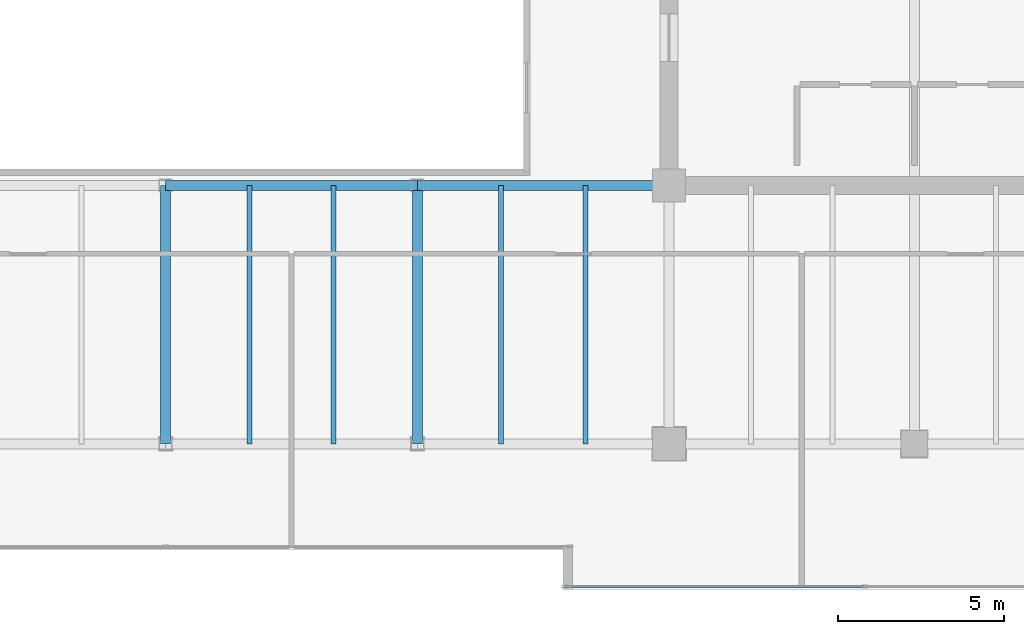
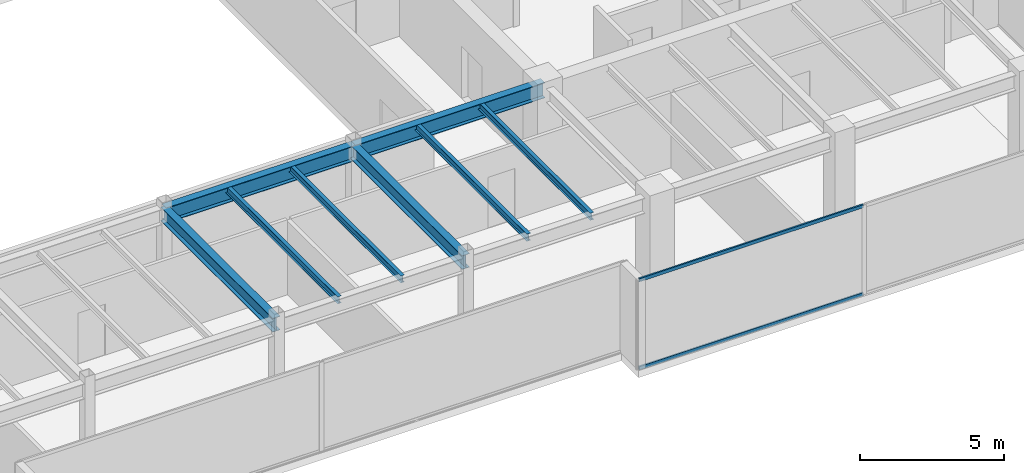
# One storey, part 12 of 35: 8 beams, 2 members, 1 element without a shape of its own.
"""IFC4 building model written with IfcOpenShell, lengths in metres."""

from ifc_helpers import new_model, si_unit, direction, frame, origin, origin_2d, place, context, subcontext, project, spatial, hollow_rectangle, i_section, extrude, source, transform, mapped, material, layer, layer_set, material_profile, profile_set, type_object, type_shapes, element, aggregate, save


model = new_model("IFC4")

# Units and contexts
model_context = context("Model", 3, precision=1e-05, world=origin(), true_north=direction((0.0, 1.0)))
body_context = subcontext(model_context, "Body", "Model", "MODEL_VIEW")
ifc_project = project(units=[si_unit("LENGTHUNIT", "METRE"), si_unit("AREAUNIT", "SQUARE_METRE"), si_unit("VOLUMEUNIT", "CUBIC_METRE"), si_unit("PLANEANGLEUNIT", "RADIAN"), si_unit("MASSUNIT", "GRAM", prefix="KILO")], contexts=[model_context])

# Site, building, storey
site_placement = place(None, origin())
site = spatial("IfcSite", under=ifc_project, at=site_placement, CompositionType="ELEMENT")
building_placement = place(site_placement, origin())
building = spatial("IfcBuilding", under=site, at=building_placement, Name="Haelvirn Gate Laboratories", CompositionType="ELEMENT")
storey_placement = place(building_placement, frame((0.0, 0.0, 226.0)))
storey = spatial("IfcBuildingStorey", under=building, at=storey_placement, Name="L54", CompositionType="ELEMENT", Elevation=226.0)

# Beams
ifc_material_1 = material(Name="Steel SM355", Category="steel")
ifc_material_profile_1 = material_profile(ifc_material_1, i_section(OverallWidth=0.14990234375, OverallDepth=0.300048828125, WebThickness=0.006591796875, FlangeThickness=0.009033203125, at=origin_2d()), Name="H-300x150x6.5x9")
ifc_profile_set_1 = profile_set([ifc_material_profile_1], Name="Steel SM355")
beam_type_1 = type_object("IfcBeamType", Name="BM-J-300", PredefinedType="JOIST", material=ifc_profile_set_1)
shared_shape_1 = source(origin(), body_context, "Body", "SweptSolid", [
    extrude(i_section(OverallWidth=0.14990234375, OverallDepth=0.300048828125, WebThickness=0.006591796875, FlangeThickness=0.009033203125, at=origin_2d()), origin(), (0.0, 0.0, 1.0), 7.800048828125),
])
type_shapes(beam_type_1, [shared_shape_1])
for number, where, z_axis, x_axis, name in (
    (1, (39.929931640625, 7.0, 3.64990234375), (0.0, 1.0, 0.0), (-1.0, 0.0, 0.0), "L54 Composite Lab Joist South X39.93"),
    (2, (42.469970703125, 7.0, 3.64990234375), (0.0, 1.0, 0.0), (-1.0, 0.0, 0.0), "L54 Composite Lab Joist South X42.47"),
    (3, (47.530029296875, 7.0, 3.64990234375), (0.0, 1.0, 0.0), (-1.0, 0.0, 0.0), "L54 Composite Lab Joist South X47.53"),
    (4, (50.070068359375, 7.0, 3.64990234375), (0.0, 1.0, 0.0), (-1.0, 0.0, 0.0), "L54 Composite Lab Joist South X50.07"),
):
    element("IfcBeam", number, at=place(storey_placement, frame(where, z_axis=z_axis, x_axis=x_axis)), inside=storey, type_object=beam_type_1, Name=name, PredefinedType="JOIST", context=body_context, shape_type="MappedRepresentation", body=[
        mapped(shared_shape_1, transform((0.0, 0.0, 0.0), scale=1.0)),
    ])
ifc_material_profile_2 = material_profile(ifc_material_1, i_section(OverallWidth=0.300048828125, OverallDepth=0.587890625, WebThickness=0.011962890625, FlangeThickness=0.02001953125, at=origin_2d()), Name="H-588x300x12x20")
ifc_profile_set_2 = profile_set([ifc_material_profile_2], Name="Steel SM355")
beam_type_2 = type_object("IfcBeamType", Name="BM-G-588", PredefinedType="BEAM", material=ifc_profile_set_2)
shared_shape_2 = source(origin(), body_context, "Body", "SweptSolid", [
    extrude(i_section(OverallWidth=0.300048828125, OverallDepth=0.587890625, WebThickness=0.011962890625, FlangeThickness=0.02001953125, at=origin_2d()), origin(), (0.0, 0.0, 1.0), 7.800048828125),
])
type_shapes(beam_type_2, [shared_shape_2])
for number, where, z_axis, x_axis, name in (
    (5, (37.39990234375, 7.0, 3.506103515625), (0.0, 1.0, 0.0), (-1.0, 0.0, 0.0), "L54 Frame Girder X37.4 (7.0-14.8)"),
    (6, (45.0, 7.0, 3.506103515625), (0.0, 1.0, 0.0), (-1.0, 0.0, 0.0), "L54 Frame Girder X45.0 (7.0-14.8)"),
):
    element("IfcBeam", number, at=place(storey_placement, frame(where, z_axis=z_axis, x_axis=x_axis)), inside=storey, type_object=beam_type_2, Name=name, PredefinedType="BEAM", context=body_context, shape_type="MappedRepresentation", body=[
        mapped(shared_shape_2, transform((0.0, 0.0, 0.0), scale=1.0)),
    ])
ifc_material_profile_3 = material_profile(ifc_material_1, i_section(OverallWidth=0.300048828125, OverallDepth=0.64990234375, WebThickness=0.012939453125, FlangeThickness=0.02197265625, at=origin_2d()), Name="H-650x300x13x22")
ifc_profile_set_3 = profile_set([ifc_material_profile_3], Name="Steel SM355")
beam_type_3 = type_object("IfcBeamType", Name="BM-G-650", PredefinedType="BEAM", material=ifc_profile_set_3)
shared_shape_3 = source(origin(), body_context, "Body", "SweptSolid", [
    extrude(i_section(OverallWidth=0.300048828125, OverallDepth=0.64990234375, WebThickness=0.012939453125, FlangeThickness=0.02197265625, at=origin_2d()), origin(), (0.0, 0.0, 1.0), 7.60009765625),
])
type_shapes(beam_type_3, [shared_shape_3])
for number, where, z_axis, x_axis, name in (
    (7, (37.39990234375, 14.800048828125, 3.47509765625), (1.0, 0.0, 0.0), (0.0, 1.0, 0.0), "L54 Primary Girder Y14.8 (37.4-45.0)"),
    (8, (45.0, 14.800048828125, 3.47509765625), (1.0, 0.0, 0.0), (0.0, 1.0, 0.0), "L54 Primary Girder Y14.8 (45.0-52.6)"),
):
    element("IfcBeam", number, at=place(storey_placement, frame(where, z_axis=z_axis, x_axis=x_axis)), inside=storey, type_object=beam_type_3, Name=name, PredefinedType="BEAM", context=body_context, shape_type="MappedRepresentation", body=[
        mapped(shared_shape_3, transform((0.0, 0.0, 0.0), scale=1.0)),
    ])

# Curtain wall, members
ifc_material_2 = material(Name="Anodised bronze unitised aluminium & triple low-E glass", Category="aluminium")
ifc_layer = layer(ifc_material_2, 0.176025390625, Name="CW-SYS-4")
ifc_layer_set = layer_set([ifc_layer], Name="Anodised bronze unitised aluminium & triple low-E glass")
curtain_wall_type = type_object("IfcCurtainWallType", Name="CW-SYS-4", PredefinedType="NOTDEFINED", material=ifc_layer_set)
curtain_wall_placement = place(storey_placement, origin())
curtain_wall = element("IfcCurtainWall", 9, at=curtain_wall_placement, inside=storey, type_object=curtain_wall_type, Name="L54 Unitised Curtain Wall CW-L54-P0-E04-1", PredefinedType="NOTDEFINED")
ifc_material_3 = material(Name="Extruded aluminium 6063-T6 (anodised bronze)", Category="aluminium")
ifc_material_profile_4 = material_profile(ifc_material_3, hollow_rectangle(XDim=0.06494140625, YDim=0.139892578125, WallThickness=0.00390625, at=origin_2d()), Name="CWT-140x65x4")
ifc_profile_set_4 = profile_set([ifc_material_profile_4], Name="Extruded aluminium 6063-T6 (anodised bronze)")
member_type = type_object("IfcMemberType", Name="CWT-T140", PredefinedType="USERDEFINED", material=ifc_profile_set_4)
shared_shape_4 = source(origin(), body_context, "Body", "SweptSolid", [
    extrude(hollow_rectangle(XDim=0.06494140625, YDim=0.139892578125, WallThickness=0.00390625, at=origin_2d()), origin(), (0.0, 0.0, 1.0), 8.9951171875),
])
type_shapes(member_type, [shared_shape_4])
member_1_placement = place(storey_placement, frame((49.469970703125, 2.699951171875, 0.032470703125), z_axis=(1.0, 0.0, 0.0), x_axis=(0.0, 1.0, 0.0)))
member_1 = element("IfcMember", 10, at=member_1_placement, type_object=member_type, Name="CW4 transom 1.1", ObjectType="TRANSOM", PredefinedType="USERDEFINED", context=body_context, shape_type="MappedRepresentation", body=[
    mapped(shared_shape_4, transform((0.0, 0.0, 0.0), scale=1.0)),
])
member_2_placement = place(storey_placement, frame((49.469970703125, 2.699951171875, 3.767578125), z_axis=(1.0, 0.0, 0.0), x_axis=(0.0, 1.0, 0.0)))
member_2 = element("IfcMember", 11, at=member_2_placement, type_object=member_type, Name="CW4 transom 1.2", ObjectType="TRANSOM", PredefinedType="USERDEFINED", context=body_context, shape_type="MappedRepresentation", body=[
    mapped(shared_shape_4, transform((0.0, 0.0, 0.0), scale=1.0)),
])
aggregate(curtain_wall, [member_1, member_2])

save(model, "model.ifc")
